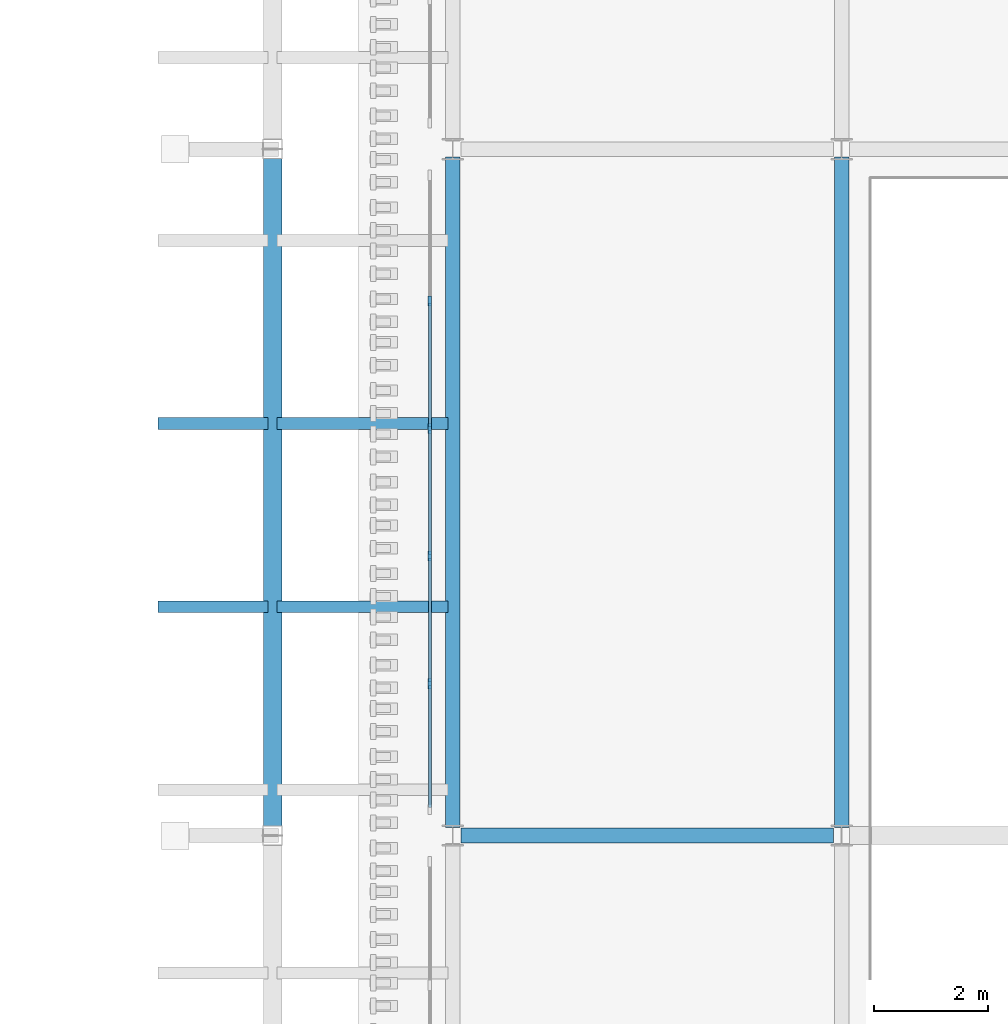
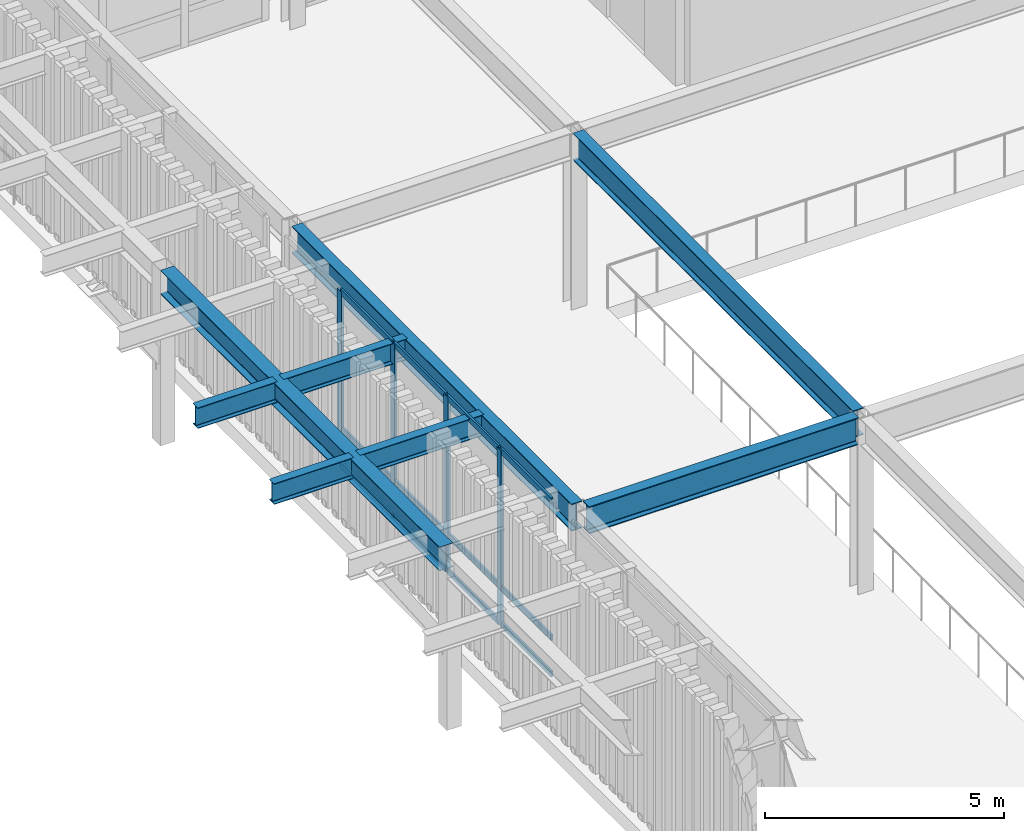
# One storey, part 50 of 126: 16 members, 8 beams, 1 element without a shape of its own.
"""IFC4 building model written with IfcOpenShell, lengths in metres."""

from ifc_helpers import new_model, si_unit, derived_unit, direction, frame, origin, origin_2d, place, context, subcontext, project, spatial, rectangle, i_section, extrude, material, layer, layer_set, material_profile, profile_set, type_object, element, aggregate, save


model = new_model("IFC4")

# Units and contexts
model_context = context("Model", 3, precision=1e-05, world=origin(), true_north=direction((0.0, 1.0)))
body_context = subcontext(model_context, "Body", "Model", "MODEL_VIEW")
ifc_project = project(units=[si_unit("LENGTHUNIT", "METRE"), si_unit("AREAUNIT", "SQUARE_METRE"), si_unit("VOLUMEUNIT", "CUBIC_METRE"), si_unit("PLANEANGLEUNIT", "RADIAN"), si_unit("MASSUNIT", "GRAM", prefix="KILO"), derived_unit("THERMALTRANSMITTANCEUNIT", [(si_unit("MASSUNIT", "GRAM", prefix="KILO"), 1), (si_unit("TIMEUNIT", "SECOND"), -3), (si_unit("THERMODYNAMICTEMPERATUREUNIT", "KELVIN"), -1)])], contexts=[model_context])

# Site, building, storey
site_placement = place(None, origin())
site = spatial("IfcSite", under=ifc_project, at=site_placement, CompositionType="ELEMENT")
building_placement = place(site_placement, origin())
building = spatial("IfcBuilding", under=site, at=building_placement, Name="Valcora Ridge Arena", CompositionType="ELEMENT")
storey_placement = place(building_placement, frame((0.0, 0.0, 11.39990234375)))
storey = spatial("IfcBuildingStorey", under=building, at=storey_placement, Name="L02", CompositionType="ELEMENT", Elevation=11.39990234375)

# Beams
ifc_material_1 = material(Name="Steel ASTM A572 Grade 50", Category="steel")
ifc_material_profile_1 = material_profile(ifc_material_1, i_section(OverallWidth=0.324951171875, OverallDepth=0.612060546875, WebThickness=0.0126953125, FlangeThickness=0.01904296875, FilletRadius=0.01806640625, at=origin_2d()), Name="W24X104")
ifc_profile_set_1 = profile_set([ifc_material_profile_1], Name="Steel ASTM A572 Grade 50")
beam_type_1 = type_object("IfcBeamType", Name="TY-BEAM-G-COL-W24", PredefinedType="BEAM", material=ifc_profile_set_1)
beam_1_placement = place(storey_placement, frame((134.050048828125, 54.159912109375, 4.174072265625), z_axis=(0.0, 1.0, 0.0), x_axis=(-1.0, 0.0, 0.0)))
element("IfcBeam", 1, at=beam_1_placement, inside=storey, type_object=beam_type_1, Name="G-COL-W24 BEM-G-COL-W24-0009", PredefinedType="BEAM", context=body_context, shape_type="SweptSolid", body=[
    extrude(i_section(OverallWidth=0.324951171875, OverallDepth=0.612060546875, WebThickness=0.0126953125, FlangeThickness=0.01904296875, FilletRadius=0.01806640625, at=origin_2d()), origin(), (0.0, 0.0, 1.0), 11.68017578125),
])
ifc_material_profile_2 = material_profile(ifc_material_1, i_section(OverallWidth=0.256103515625, OverallDepth=0.693115234375, WebThickness=0.014404296875, FlangeThickness=0.023681640625, FilletRadius=0.02001953125, at=origin_2d()), Name="W27X114")
ifc_profile_set_2 = profile_set([ifc_material_profile_2], Name="Steel ASTM A572 Grade 50")
beam_type_2 = type_object("IfcBeamType", Name="TY-BEAM-G-W27X114-X", PredefinedType="BEAM", material=ifc_profile_set_2)
beam_2_placement = place(storey_placement, frame((137.340087890625, 54.0, 4.133544921875), z_axis=(1.0, 0.0, 0.0), x_axis=(0.0, 1.0, 0.0)))
element("IfcBeam", 2, at=beam_2_placement, inside=storey, type_object=beam_type_2, Name="G-W27X114-X BEM-G-W27X114-X-0045", PredefinedType="BEAM", context=body_context, shape_type="SweptSolid", body=[
    extrude(i_section(OverallWidth=0.256103515625, OverallDepth=0.693115234375, WebThickness=0.014404296875, FlangeThickness=0.023681640625, FilletRadius=0.02001953125, at=origin_2d()), origin(), (0.0, 0.0, 1.0), 6.52001953125),
])
ifc_material_profile_3 = material_profile(ifc_material_1, i_section(OverallWidth=0.256103515625, OverallDepth=0.693115234375, WebThickness=0.014404296875, FlangeThickness=0.023681640625, FilletRadius=0.02001953125, at=origin_2d()), Name="W27X114")
ifc_profile_set_3 = profile_set([ifc_material_profile_3], Name="Steel ASTM A572 Grade 50")
beam_type_3 = type_object("IfcBeamType", Name="TY-BEAM-G-W27X114-Y", PredefinedType="BEAM", material=ifc_profile_set_3)
for number, where, z_axis, x_axis, name in (
    (3, (137.199951171875, 54.139892578125, 4.133544921875), (0.0, 1.0, 0.0), (-1.0, 0.0, 0.0), "G-W27X114-Y BEM-G-W27X114-Y-0063"),
    (4, (144.0, 54.139892578125, 4.133544921875), (0.0, 1.0, 0.0), (-1.0, 0.0, 0.0), "G-W27X114-Y BEM-G-W27X114-Y-0069"),
):
    element("IfcBeam", number, at=place(storey_placement, frame(where, z_axis=z_axis, x_axis=x_axis)), inside=storey, type_object=beam_type_3, Name=name, PredefinedType="BEAM", context=body_context, shape_type="SweptSolid", body=[
        extrude(i_section(OverallWidth=0.256103515625, OverallDepth=0.693115234375, WebThickness=0.014404296875, FlangeThickness=0.023681640625, FilletRadius=0.02001953125, at=origin_2d()), origin(), (0.0, 0.0, 1.0), 11.72021484375),
    ])
ifc_material_profile_4 = material_profile(ifc_material_1, i_section(OverallWidth=0.208984375, OverallDepth=0.532958984375, WebThickness=0.01025390625, FlangeThickness=0.015625, FilletRadius=0.01611328125, at=origin_2d()), Name="W21X62")
ifc_profile_set_4 = profile_set([ifc_material_profile_4], Name="Steel ASTM A572 Grade 50")
beam_type_4 = type_object("IfcBeamType", Name="TY-BEAM-RAF-EAVE-W21", PredefinedType="BEAM", material=ifc_profile_set_4)
for number, where, z_axis, x_axis, name in (
    (5, (134.1298828125, 58.0, 4.213623046875), (1.0, 0.0, 0.0), (0.0, 1.0, 0.0), "RAF-EAVE-W21 BEM-RAF-EAVE-W21-0016"),
    (6, (134.1298828125, 61.199951171875, 4.213623046875), (1.0, 0.0, 0.0), (0.0, 1.0, 0.0), "RAF-EAVE-W21 BEM-RAF-EAVE-W21-0017"),
):
    element("IfcBeam", number, at=place(storey_placement, frame(where, z_axis=z_axis, x_axis=x_axis)), inside=storey, type_object=beam_type_4, Name=name, PredefinedType="BEAM", context=body_context, shape_type="SweptSolid", body=[
        extrude(i_section(OverallWidth=0.208984375, OverallDepth=0.532958984375, WebThickness=0.01025390625, FlangeThickness=0.015625, FilletRadius=0.01611328125, at=origin_2d()), origin(), (0.0, 0.0, 1.0), 2.990234375),
    ])
ifc_material_profile_5 = material_profile(ifc_material_1, i_section(OverallWidth=0.208984375, OverallDepth=0.532958984375, WebThickness=0.01025390625, FlangeThickness=0.015625, FilletRadius=0.01611328125, at=origin_2d()), Name="W21X62")
ifc_profile_set_5 = profile_set([ifc_material_profile_5], Name="Steel ASTM A572 Grade 50")
beam_type_5 = type_object("IfcBeamType", Name="TY-BEAM-RAF-TIP-W21", PredefinedType="BEAM", material=ifc_profile_set_5)
for number, where, z_axis, x_axis, name in (
    (7, (132.050048828125, 58.0, 4.213623046875), (1.0, 0.0, 0.0), (0.0, 1.0, 0.0), "RAF-TIP-W21 BEM-RAF-TIP-W21-0016"),
    (8, (132.050048828125, 61.199951171875, 4.213623046875), (1.0, 0.0, 0.0), (0.0, 1.0, 0.0), "RAF-TIP-W21 BEM-RAF-TIP-W21-0017"),
):
    element("IfcBeam", number, at=place(storey_placement, frame(where, z_axis=z_axis, x_axis=x_axis)), inside=storey, type_object=beam_type_5, Name=name, PredefinedType="BEAM", context=body_context, shape_type="SweptSolid", body=[
        extrude(i_section(OverallWidth=0.208984375, OverallDepth=0.532958984375, WebThickness=0.01025390625, FlangeThickness=0.015625, FilletRadius=0.01611328125, at=origin_2d()), origin(), (0.0, 0.0, 1.0), 1.919921875),
    ])

# Curtain wall, members
ifc_material_2 = material(Name="Anodised dark bronze architectural aluminium 6063-T6", Category="aluminium")
ifc_layer = layer(ifc_material_2, 0.179931640625, Name="Anodised dark bronze architectural aluminium 6063-T6")
ifc_layer_set = layer_set([ifc_layer], Name="Anodised dark bronze architectural aluminium 6063-T6")
curtain_wall_type = type_object("IfcCurtainWallType", Name="TY-CURTAINWALL-CW-V2-GLAZ-111X45", PredefinedType="NOTDEFINED", material=ifc_layer_set)
curtain_wall_placement = place(storey_placement, origin())
curtain_wall = element("IfcCurtainWall", 9, at=curtain_wall_placement, inside=storey, type_object=curtain_wall_type, Name="CW-V2-GLAZ-111X45 CW-0064", PredefinedType="NOTDEFINED")
ifc_material_profile_6 = material_profile(ifc_material_2, rectangle(XDim=0.06005859375, YDim=0.179931640625, at=origin_2d()), Name="ALU MULLION 60x180")
ifc_profile_set_6 = profile_set([ifc_material_profile_6], Name="Anodised dark bronze architectural aluminium 6063-T6")
member_type_1 = type_object("IfcMemberType", Name="TY-MEM-CWM-60x180", PredefinedType="MULLION", material=ifc_profile_set_6)
member_1_placement = place(storey_placement, frame((136.800048828125, 56.656005859375, 0.0), z_axis=(0.0, 0.0, 1.0), x_axis=(-1.0, 0.0, 0.0)))
member_1 = element("IfcMember", 10, at=member_1_placement, type_object=member_type_1, Name="CW-0064/CWM-60x180/M01", PredefinedType="MULLION", context=body_context, shape_type="SweptSolid", body=[
    extrude(rectangle(XDim=0.06005859375, YDim=0.179931640625, at=origin_2d()), origin(), (0.0, 0.0, 1.0), 4.47998046875),
])
member_2_placement = place(storey_placement, frame((136.800048828125, 58.88525390625, 0.0), z_axis=(0.0, 0.0, 1.0), x_axis=(-1.0, 0.0, 0.0)))
member_2 = element("IfcMember", 11, at=member_2_placement, type_object=member_type_1, Name="CW-0064/CWM-60x180/M02", PredefinedType="MULLION", context=body_context, shape_type="SweptSolid", body=[
    extrude(rectangle(XDim=0.06005859375, YDim=0.179931640625, at=origin_2d()), origin(), (0.0, 0.0, 1.0), 4.47998046875),
])
member_3_placement = place(storey_placement, frame((136.800048828125, 61.11474609375, 0.0), z_axis=(0.0, 0.0, 1.0), x_axis=(-1.0, 0.0, 0.0)))
member_3 = element("IfcMember", 12, at=member_3_placement, type_object=member_type_1, Name="CW-0064/CWM-60x180/M03", PredefinedType="MULLION", context=body_context, shape_type="SweptSolid", body=[
    extrude(rectangle(XDim=0.06005859375, YDim=0.179931640625, at=origin_2d()), origin(), (0.0, 0.0, 1.0), 4.47998046875),
])
member_4_placement = place(storey_placement, frame((136.800048828125, 63.343994140625, 0.0), z_axis=(0.0, 0.0, 1.0), x_axis=(-1.0, 0.0, 0.0)))
member_4 = element("IfcMember", 13, at=member_4_placement, type_object=member_type_1, Name="CW-0064/CWM-60x180/M04", PredefinedType="MULLION", context=body_context, shape_type="SweptSolid", body=[
    extrude(rectangle(XDim=0.06005859375, YDim=0.179931640625, at=origin_2d()), origin(), (0.0, 0.0, 1.0), 4.47998046875),
])
ifc_material_profile_7 = material_profile(ifc_material_2, rectangle(XDim=0.050048828125, YDim=0.14990234375, at=origin_2d()), Name="ALU TRANSOM 50x150")
ifc_profile_set_7 = profile_set([ifc_material_profile_7], Name="Anodised dark bronze architectural aluminium 6063-T6")
member_type_2 = type_object("IfcMemberType", Name="TY-MEM-CWT-50x150", PredefinedType="USERDEFINED", material=ifc_profile_set_7)
member_5_placement = place(storey_placement, frame((136.800048828125, 54.486572265625, 0.025146484375), z_axis=(0.0, 1.0, 0.0), x_axis=(-1.0, 0.0, 0.0)))
member_5 = element("IfcMember", 14, at=member_5_placement, type_object=member_type_2, Name="CW-0064/CWT-50x150/T00-00", ObjectType="TRANSOM", PredefinedType="USERDEFINED", context=body_context, shape_type="SweptSolid", body=[
    extrude(rectangle(XDim=0.050048828125, YDim=0.14990234375, at=origin_2d()), origin(), (0.0, 0.0, 1.0), 2.138916015625),
])
member_6_placement = place(storey_placement, frame((136.800048828125, 54.486572265625, 0.9501953125), z_axis=(0.0, 1.0, 0.0), x_axis=(-1.0, 0.0, 0.0)))
member_6 = element("IfcMember", 15, at=member_6_placement, type_object=member_type_2, Name="CW-0064/CWT-50x150/T00-01", ObjectType="TRANSOM", PredefinedType="USERDEFINED", context=body_context, shape_type="SweptSolid", body=[
    extrude(rectangle(XDim=0.050048828125, YDim=0.14990234375, at=origin_2d()), origin(), (0.0, 0.0, 1.0), 2.138916015625),
])
member_7_placement = place(storey_placement, frame((136.800048828125, 54.486572265625, 4.455078125), z_axis=(0.0, 1.0, 0.0), x_axis=(-1.0, 0.0, 0.0)))
member_7 = element("IfcMember", 16, at=member_7_placement, type_object=member_type_2, Name="CW-0064/CWT-50x150/T00-02", ObjectType="TRANSOM", PredefinedType="USERDEFINED", context=body_context, shape_type="SweptSolid", body=[
    extrude(rectangle(XDim=0.050048828125, YDim=0.14990234375, at=origin_2d()), origin(), (0.0, 0.0, 1.0), 2.138916015625),
])
member_8_placement = place(storey_placement, frame((136.800048828125, 56.685546875, 0.025146484375), z_axis=(0.0, 1.0, 0.0), x_axis=(-1.0, 0.0, 0.0)))
member_8 = element("IfcMember", 17, at=member_8_placement, type_object=member_type_2, Name="CW-0064/CWT-50x150/T01-00", ObjectType="TRANSOM", PredefinedType="USERDEFINED", context=body_context, shape_type="SweptSolid", body=[
    extrude(rectangle(XDim=0.050048828125, YDim=0.14990234375, at=origin_2d()), origin(), (0.0, 0.0, 1.0), 2.169921875),
])
member_9_placement = place(storey_placement, frame((136.800048828125, 56.685546875, 0.9501953125), z_axis=(0.0, 1.0, 0.0), x_axis=(-1.0, 0.0, 0.0)))
member_9 = element("IfcMember", 18, at=member_9_placement, type_object=member_type_2, Name="CW-0064/CWT-50x150/T01-01", ObjectType="TRANSOM", PredefinedType="USERDEFINED", context=body_context, shape_type="SweptSolid", body=[
    extrude(rectangle(XDim=0.050048828125, YDim=0.14990234375, at=origin_2d()), origin(), (0.0, 0.0, 1.0), 2.169921875),
])
member_10_placement = place(storey_placement, frame((136.800048828125, 56.685546875, 4.455078125), z_axis=(0.0, 1.0, 0.0), x_axis=(-1.0, 0.0, 0.0)))
member_10 = element("IfcMember", 19, at=member_10_placement, type_object=member_type_2, Name="CW-0064/CWT-50x150/T01-02", ObjectType="TRANSOM", PredefinedType="USERDEFINED", context=body_context, shape_type="SweptSolid", body=[
    extrude(rectangle(XDim=0.050048828125, YDim=0.14990234375, at=origin_2d()), origin(), (0.0, 0.0, 1.0), 2.169921875),
])
member_11_placement = place(storey_placement, frame((136.800048828125, 58.91552734375, 0.025146484375), z_axis=(0.0, 1.0, 0.0), x_axis=(-1.0, 0.0, 0.0)))
member_11 = element("IfcMember", 20, at=member_11_placement, type_object=member_type_2, Name="CW-0064/CWT-50x150/T02-00", ObjectType="TRANSOM", PredefinedType="USERDEFINED", context=body_context, shape_type="SweptSolid", body=[
    extrude(rectangle(XDim=0.050048828125, YDim=0.14990234375, at=origin_2d()), origin(), (0.0, 0.0, 1.0), 2.1689453125),
])
member_12_placement = place(storey_placement, frame((136.800048828125, 58.91552734375, 0.9501953125), z_axis=(0.0, 1.0, 0.0), x_axis=(-1.0, 0.0, 0.0)))
member_12 = element("IfcMember", 21, at=member_12_placement, type_object=member_type_2, Name="CW-0064/CWT-50x150/T02-01", ObjectType="TRANSOM", PredefinedType="USERDEFINED", context=body_context, shape_type="SweptSolid", body=[
    extrude(rectangle(XDim=0.050048828125, YDim=0.14990234375, at=origin_2d()), origin(), (0.0, 0.0, 1.0), 2.1689453125),
])
member_13_placement = place(storey_placement, frame((136.800048828125, 58.91552734375, 4.455078125), z_axis=(0.0, 1.0, 0.0), x_axis=(-1.0, 0.0, 0.0)))
member_13 = element("IfcMember", 22, at=member_13_placement, type_object=member_type_2, Name="CW-0064/CWT-50x150/T02-02", ObjectType="TRANSOM", PredefinedType="USERDEFINED", context=body_context, shape_type="SweptSolid", body=[
    extrude(rectangle(XDim=0.050048828125, YDim=0.14990234375, at=origin_2d()), origin(), (0.0, 0.0, 1.0), 2.1689453125),
])
member_14_placement = place(storey_placement, frame((136.800048828125, 61.14453125, 0.025146484375), z_axis=(0.0, 1.0, 0.0), x_axis=(-1.0, 0.0, 0.0)))
member_14 = element("IfcMember", 23, at=member_14_placement, type_object=member_type_2, Name="CW-0064/CWT-50x150/T03-00", ObjectType="TRANSOM", PredefinedType="USERDEFINED", context=body_context, shape_type="SweptSolid", body=[
    extrude(rectangle(XDim=0.050048828125, YDim=0.14990234375, at=origin_2d()), origin(), (0.0, 0.0, 1.0), 2.169921875),
])
member_15_placement = place(storey_placement, frame((136.800048828125, 61.14453125, 0.9501953125), z_axis=(0.0, 1.0, 0.0), x_axis=(-1.0, 0.0, 0.0)))
member_15 = element("IfcMember", 24, at=member_15_placement, type_object=member_type_2, Name="CW-0064/CWT-50x150/T03-01", ObjectType="TRANSOM", PredefinedType="USERDEFINED", context=body_context, shape_type="SweptSolid", body=[
    extrude(rectangle(XDim=0.050048828125, YDim=0.14990234375, at=origin_2d()), origin(), (0.0, 0.0, 1.0), 2.169921875),
])
member_16_placement = place(storey_placement, frame((136.800048828125, 61.14453125, 4.455078125), z_axis=(0.0, 1.0, 0.0), x_axis=(-1.0, 0.0, 0.0)))
member_16 = element("IfcMember", 25, at=member_16_placement, type_object=member_type_2, Name="CW-0064/CWT-50x150/T03-02", ObjectType="TRANSOM", PredefinedType="USERDEFINED", context=body_context, shape_type="SweptSolid", body=[
    extrude(rectangle(XDim=0.050048828125, YDim=0.14990234375, at=origin_2d()), origin(), (0.0, 0.0, 1.0), 2.169921875),
])
aggregate(curtain_wall, [member_1, member_2, member_3, member_4, member_5, member_6, member_7, member_8, member_9, member_10, member_11, member_12, member_13, member_14, member_15, member_16])

save(model, "model.ifc")
